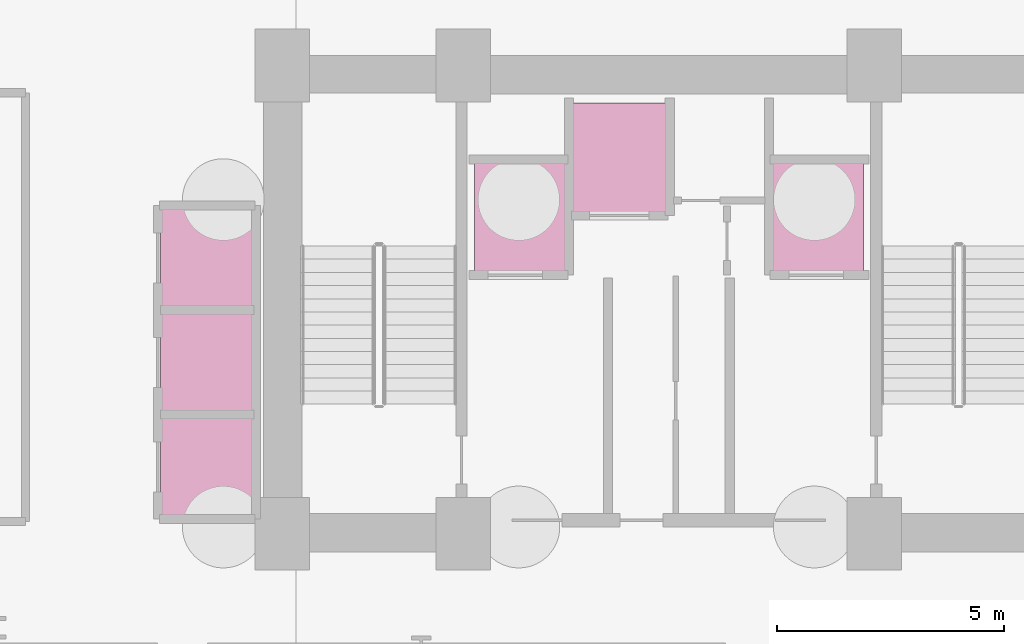
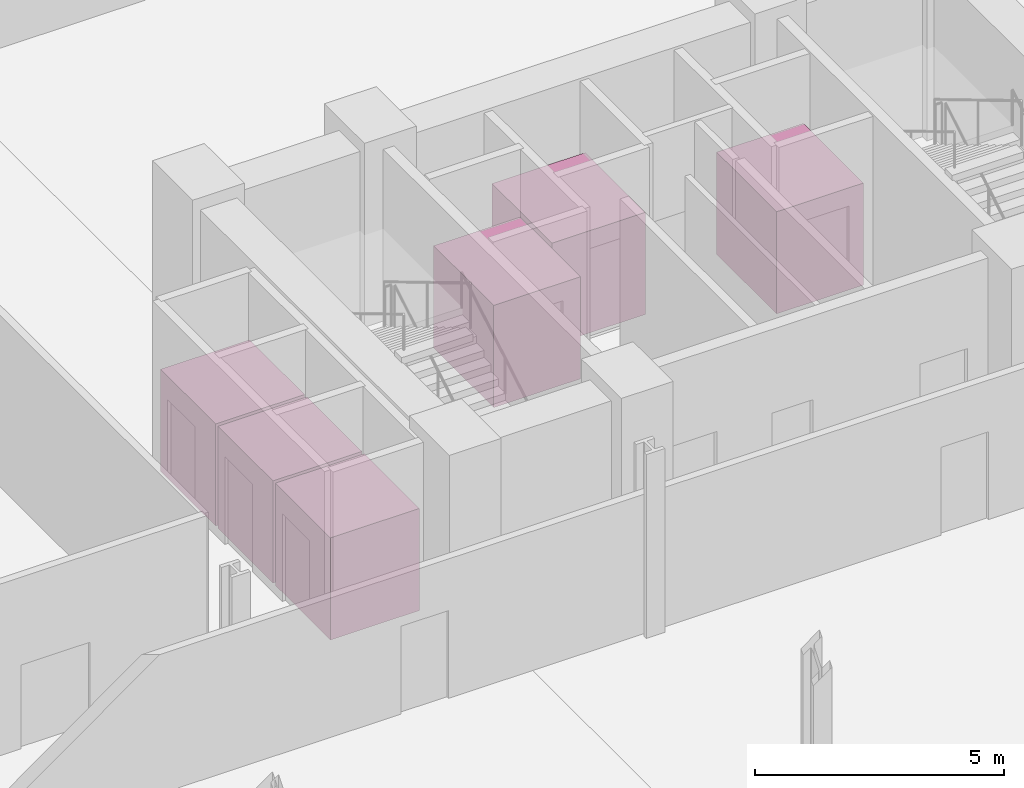
# One storey, part 8 of 8: 6 transport elements.
"""IFC4 building model written with IfcOpenShell, lengths in metres."""

import ifcopenshell
import ifcopenshell.guid

model = None  # the IFC model being written
_history = None  # IfcOwnerHistory: only IFC2X3 demands one
_inside = {}  # id of a spatial element -> (the spatial element, [elements in it])
_under = {}  # id of a project, library or spatial element -> (it, [spatial elements below it])
_declared = {}  # id of a project -> (the project, [libraries it declares])
_typed = {}  # id of a type object -> (the type object, [elements of that type])
_made_of = {}  # id of a material, layer set ... -> (it, [elements and type objects made of it])


def new_model(schema):
    """Start an empty IFC model of exactly this schema.

    Asked for "IFC4X3", IfcOpenShell would pick the latest addendum, in which some entities
    have other attributes; the version numbers below select the first issue.
    IFC2X3 requires an IfcOwnerHistory on every rooted entity: one is made here for all.
    """
    global model, _history
    if schema == "IFC4X3":
        model = ifcopenshell.file(schema_version=(4, 3, 0, 0))
    else:
        model = ifcopenshell.file(schema=schema)
    _inside.clear()
    _under.clear()
    _declared.clear()
    _typed.clear()
    _made_of.clear()
    _history = None
    if model.schema == "IFC2X3":
        org = make("IfcOrganization", Name="unknown")
        user = make(
            "IfcPersonAndOrganization",
            ThePerson=make("IfcPerson", FamilyName="unknown"),
            TheOrganization=org,
        )
        app = make(
            "IfcApplication",
            ApplicationDeveloper=org,
            Version="unknown",
            ApplicationFullName="unknown",
            ApplicationIdentifier="unknown",
        )
        _history = make(
            "IfcOwnerHistory",
            OwningUser=user,
            OwningApplication=app,
            ChangeAction="ADDED",
            CreationDate=0,
        )
    return model


def make(cls, **values):
    """One entity of the class cls with the attributes given. An attribute that is None is left unset."""
    return model.create_entity(
        cls, **{name: value for name, value in values.items() if value is not None}
    )


def rooted(cls, **values):
    """An entity with a GlobalId (a new one), such as an element, a storey or a relation."""
    return make(cls, GlobalId=ifcopenshell.guid.new(), OwnerHistory=_history, **values)


def si_unit(unit_type, name, prefix=None):
    """IfcSIUnit, for example si_unit("LENGTHUNIT", "METRE", prefix="MILLI")."""
    return make("IfcSIUnit", UnitType=unit_type, Prefix=prefix, Name=name)


def assignment(units):
    """IfcUnitAssignment: the units of a project."""
    return None if units is None else make("IfcUnitAssignment", Units=units)


def point(xyz):
    """IfcCartesianPoint."""
    return None if xyz is None else make("IfcCartesianPoint", Coordinates=xyz)


def direction(xyz):
    """IfcDirection."""
    return None if xyz is None else make("IfcDirection", DirectionRatios=xyz)


def frame(location, z_axis=None, x_axis=None):
    """IfcAxis2Placement3D, a coordinate frame: its origin and axes. An axis left out is left unset."""
    return make(
        "IfcAxis2Placement3D",
        Location=point(location),
        Axis=direction(z_axis),
        RefDirection=direction(x_axis),
    )


def frame_2d(location, x_axis=None):
    """IfcAxis2Placement2D, a coordinate frame in the plane: its origin and x axis."""
    return make(
        "IfcAxis2Placement2D", Location=point(location), RefDirection=direction(x_axis)
    )


def origin():
    """The frame at (0, 0, 0) with its axes left unset."""
    return frame((0.0, 0.0, 0.0))


def origin_2d():
    """The frame at (0, 0) in the plane with its x axis left unset."""
    return frame_2d((0.0, 0.0))


def place(relative_to, where):
    """IfcLocalPlacement: puts the frame where relative to a parent placement (None: the world)."""
    return make(
        "IfcLocalPlacement", PlacementRelTo=relative_to, RelativePlacement=where
    )


def context(
    kind, dimensions, precision=None, world=None, true_north=None, identifier=None
):
    """IfcGeometricRepresentationContext, for example the 3D "Model" context."""
    return make(
        "IfcGeometricRepresentationContext",
        ContextIdentifier=identifier,
        ContextType=kind,
        CoordinateSpaceDimension=dimensions,
        Precision=precision,
        WorldCoordinateSystem=world,
        TrueNorth=true_north,
    )


def subcontext(parent, identifier, kind, view, scale=None):
    """IfcGeometricRepresentationSubContext, for example "Body" below "Model"."""
    return make(
        "IfcGeometricRepresentationSubContext",
        ContextIdentifier=identifier,
        ContextType=kind,
        ParentContext=parent,
        TargetScale=scale,
        TargetView=view,
    )


def project(units=None, contexts=None):
    """IfcProject with its units and contexts."""
    return rooted(
        "IfcProject",
        Name="project",
        RepresentationContexts=contexts,
        UnitsInContext=assignment(units),
    )


def spatial(cls, under=None, at=None, **own):
    """A site, building, storey or space (cls), placed at a placement, below another one or the project."""
    s = rooted(cls, ObjectPlacement=at, **own)
    if under is not None:
        _under.setdefault(under.id(), (under, []))[1].append(s)
    return s


def profile(cls, at=None, kind="AREA", **sizes):
    """A parametric profile (cls). Its sizes go by their IFC names, for example OverallWidth=200.0."""
    return make(cls, ProfileType=kind, Position=at, **sizes)


def rectangle(**sizes):
    """IfcRectangleProfileDef."""
    return profile("IfcRectangleProfileDef", **sizes)


def extrude(swept, where, along, depth):
    """IfcExtrudedAreaSolid: the profile swept, set in the frame where, extruded along a direction by depth."""
    return make(
        "IfcExtrudedAreaSolid",
        SweptArea=swept,
        Position=where,
        ExtrudedDirection=direction(along),
        Depth=depth,
    )


def shape(context_of_items, identifier, shape_type, items):
    """IfcShapeRepresentation: the items that make up one representation, for example the "Body"."""
    return make(
        "IfcShapeRepresentation",
        ContextOfItems=context_of_items,
        RepresentationIdentifier=identifier,
        RepresentationType=shape_type,
        Items=items,
    )


def source(mapping_origin, context_of_items, identifier, shape_type, items):
    """IfcRepresentationMap: a shape defined once, which mapped items show again and again."""
    return make(
        "IfcRepresentationMap",
        MappingOrigin=mapping_origin,
        MappedRepresentation=shape(context_of_items, identifier, shape_type, items),
    )


def transform(
    local_origin,
    x_axis=None,
    y_axis=None,
    z_axis=None,
    scale=None,
    scale2=None,
    scale3=None,
    uniform=True,
):
    """IfcCartesianTransformationOperator3D, or its non-uniform kind. x_axis, y_axis, z_axis: its Axis1, 2, 3."""
    if uniform:
        return make(
            "IfcCartesianTransformationOperator3D",
            Axis1=direction(x_axis),
            Axis2=direction(y_axis),
            LocalOrigin=point(local_origin),
            Scale=scale,
            Axis3=direction(z_axis),
        )
    return make(
        "IfcCartesianTransformationOperator3DnonUniform",
        Axis1=direction(x_axis),
        Axis2=direction(y_axis),
        LocalOrigin=point(local_origin),
        Scale=scale,
        Axis3=direction(z_axis),
        Scale2=scale2,
        Scale3=scale3,
    )


def mapped(mapping_source, mapping_target):
    """IfcMappedItem: shows the shape of a source again, moved by a transform."""
    return make(
        "IfcMappedItem", MappingSource=mapping_source, MappingTarget=mapping_target
    )


def material(Name=None, Category=None):
    """IfcMaterial."""
    return make("IfcMaterial", Name=Name, Category=Category)


def made_of(thing, what):
    """Note that an element or type object is made of a material, layer set ...; save() writes the relation."""
    if what is not None:
        _made_of.setdefault(what.id(), (what, []))[1].append(thing)
    return thing


def type_object(cls, material=None, **own):
    """A type object (cls), such as IfcWallType, which elements share."""
    return made_of(rooted(cls, **own), material)


def element(
    cls,
    number,
    at=None,
    inside=None,
    cuts=None,
    type_object=None,
    material=None,
    context=None,
    identifier="Body",
    shape_type=None,
    held_by="IfcProductDefinitionShape",
    body=None,
    shapes=None,
    **own,
):
    """One element of the class cls, such as IfcWall. Its Tag is "e" and its number.

    at: its placement. inside: the storey or other place that contains it. cuts: it is an
    opening in that element (IfcRelVoidsElement). A single representation is given by context,
    identifier, shape_type and body (its items); several are given by shapes. held_by: the class
    of the entity that holds the representations. save() writes the other relations.
    """
    e = rooted(cls, Tag="e%d" % number, ObjectPlacement=at, **own)
    if body is not None:
        shapes = [shape(context, identifier, shape_type, body)]
    if shapes is not None:
        e.Representation = make(held_by, Representations=shapes)
    if inside is not None:
        _inside.setdefault(inside.id(), (inside, []))[1].append(e)
    if cuts is not None:
        rooted(
            "IfcRelVoidsElement", RelatingBuildingElement=cuts, RelatedOpeningElement=e
        )
    if type_object is not None:
        _typed.setdefault(type_object.id(), (type_object, []))[1].append(e)
    return made_of(e, material)


def aggregate(whole, parts):
    """IfcRelAggregates: a whole, such as a stair, and the parts it consists of."""
    return rooted("IfcRelAggregates", RelatingObject=whole, RelatedObjects=parts)


def save(model, path):
    """Write the relations noted so far, then the file.

    IfcRelAggregates (storeys below a building ...), IfcRelContainedInSpatialStructure (elements
    in a storey), IfcRelDefinesByType, IfcRelAssociatesMaterial and IfcRelDeclares: one each for
    every whole, place, type object, material and project.
    """
    for whole, parts in _under.values():
        aggregate(whole, parts)
    for where, things in _inside.values():
        rooted(
            "IfcRelContainedInSpatialStructure",
            RelatedElements=things,
            RelatingStructure=where,
        )
    for kind, things in _typed.values():
        rooted("IfcRelDefinesByType", RelatedObjects=things, RelatingType=kind)
    for what, things in _made_of.values():
        rooted("IfcRelAssociatesMaterial", RelatedObjects=things, RelatingMaterial=what)
    for by, libraries in _declared.values():
        rooted("IfcRelDeclares", RelatingContext=by, RelatedDefinitions=libraries)
    model.write(path)


model = new_model("IFC4")

# Units and contexts
model_context = context("Model", 3, precision=1e-05, world=origin(), true_north=direction((0.0, 1.0)))
body_context = subcontext(model_context, "Body", "Model", "MODEL_VIEW")
ifc_project = project(units=[si_unit("LENGTHUNIT", "METRE"), si_unit("AREAUNIT", "SQUARE_METRE"), si_unit("VOLUMEUNIT", "CUBIC_METRE"), si_unit("PLANEANGLEUNIT", "RADIAN"), si_unit("MASSUNIT", "GRAM", prefix="KILO")], contexts=[model_context])

# Site, building, storey
site_placement = place(None, origin())
site = spatial("IfcSite", under=ifc_project, at=site_placement, CompositionType="ELEMENT")
building_placement = place(site_placement, origin())
building = spatial("IfcBuilding", under=site, at=building_placement, Name="Varnelok Gate Tower", CompositionType="ELEMENT")
storey_placement = place(building_placement, frame((0.0, 0.0, -9.0)))
storey = spatial("IfcBuildingStorey", under=building, at=storey_placement, Name="B02", CompositionType="ELEMENT", Elevation=-9.0)

# Transport elements
ifc_material = material(Name="Brushed Stainless Steel AISI 316", Category="steel")
transport_element_type_1 = type_object("IfcTransportElementType", Name="LIFT-FF-2000", PredefinedType="ELEVATOR", material=ifc_material)
shared_shape_1 = source(origin(), body_context, "Body", "SweptSolid", [
    extrude(rectangle(XDim=2.010009765625, YDim=2.409912109375, at=origin_2d()), origin(), (0.0, 0.0, 1.0), 2.5),
])
for number, where, z_axis, x_axis, name in (
    (1, (35.925048828125, 35.72509765625, 0.0), (0.0, 0.0, 1.0), (1.0, 0.0, 0.0), "Firefighting Lift FF1"),
    (2, (42.47509765625, 35.72509765625, 0.0), (0.0, 0.0, 1.0), (1.0, 0.0, 0.0), "Firefighting Lift FF2"),
):
    element("IfcTransportElement", number, at=place(storey_placement, frame(where, z_axis=z_axis, x_axis=x_axis)), inside=storey, type_object=transport_element_type_1, Name=name, PredefinedType="ELEVATOR", context=body_context, shape_type="MappedRepresentation", body=[
        mapped(shared_shape_1, transform((0.0, 0.0, 0.0), scale=1.0)),
    ])
transport_element_type_2 = type_object("IfcTransportElementType", Name="LIFT-SV-2250", PredefinedType="ELEVATOR", material=ifc_material)
shared_shape_2 = source(origin(), body_context, "Body", "SweptSolid", [
    extrude(rectangle(XDim=2.159912109375, YDim=2.409912109375, at=origin_2d()), origin(), (0.0, 0.0, 1.0), 2.5),
])
transport_element_placement = place(storey_placement, frame((38.10009765625, 37.02490234375, 0.0), z_axis=(0.0, 0.0, 1.0), x_axis=(1.0, 0.0, 0.0)))
element("IfcTransportElement", 3, at=transport_element_placement, inside=storey, type_object=transport_element_type_2, Name="Service Lift SV1", PredefinedType="ELEVATOR", context=body_context, shape_type="MappedRepresentation", body=[
    mapped(shared_shape_2, transform((0.0, 0.0, 0.0), scale=1.0)),
])
transport_element_type_3 = type_object("IfcTransportElementType", Name="LIFT-PAX-1600", PredefinedType="ELEVATOR", material=ifc_material)
shared_shape_3 = source(origin(), body_context, "Body", "SweptSolid", [
    extrude(rectangle(XDim=2.06005859375, YDim=2.2099609375, at=origin_2d()), origin(), (0.0, 0.0, 1.0), 2.5),
])
for number, where, z_axis, x_axis, name in (
    (4, (29.050048828125, 30.22509765625, 0.0), (0.0, 0.0, 1.0), (1.0, 0.0, 0.0), "Low-Rise Passenger Lift PL1"),
    (5, (29.050048828125, 32.52490234375, 0.0), (0.0, 0.0, 1.0), (1.0, 0.0, 0.0), "Low-Rise Passenger Lift PL2"),
    (6, (29.050048828125, 34.824951171875, 0.0), (0.0, 0.0, 1.0), (1.0, 0.0, 0.0), "Low-Rise Passenger Lift PL3"),
):
    element("IfcTransportElement", number, at=place(storey_placement, frame(where, z_axis=z_axis, x_axis=x_axis)), inside=storey, type_object=transport_element_type_3, Name=name, PredefinedType="ELEVATOR", context=body_context, shape_type="MappedRepresentation", body=[
        mapped(shared_shape_3, transform((0.0, 0.0, 0.0), scale=1.0)),
    ])

save(model, "model.ifc")
